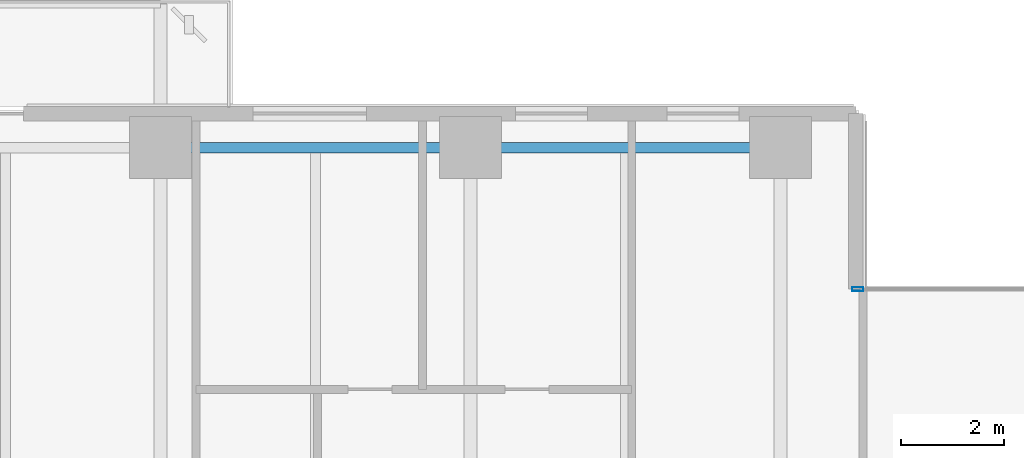
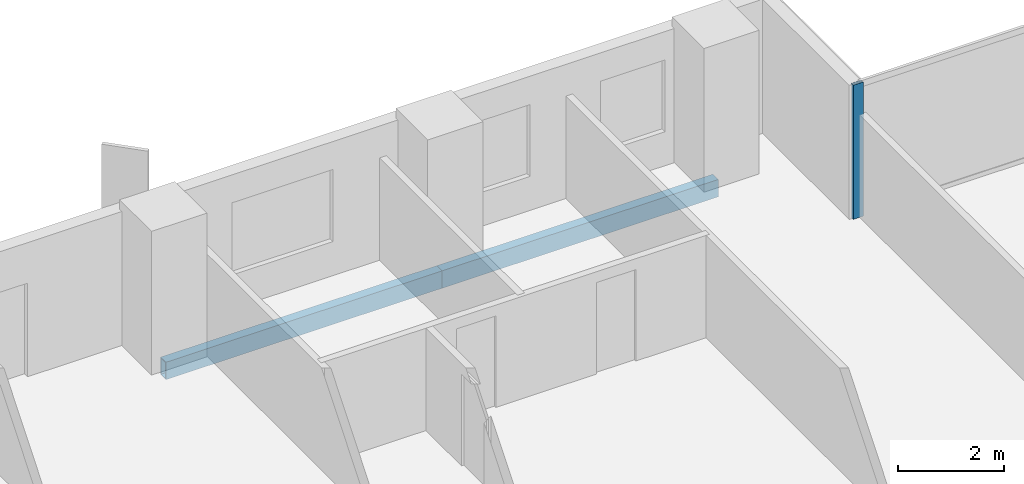
# One storey, part 9 of 33: 2 beams, 1 member, 1 element without a shape of its own.
"""IFC4 building model written with IfcOpenShell, lengths in metres."""

from ifc_helpers import new_model, si_unit, direction, frame, origin, origin_2d, place, context, subcontext, project, spatial, hollow_rectangle, extrude, material, layer, layer_set, material_profile, profile_set, type_object, element, aggregate, save


model = new_model("IFC4")

# Units and contexts
model_context = context("Model", 3, precision=1e-05, world=origin(), true_north=direction((0.0, 1.0)))
body_context = subcontext(model_context, "Body", "Model", "MODEL_VIEW")
ifc_project = project(units=[si_unit("LENGTHUNIT", "METRE"), si_unit("AREAUNIT", "SQUARE_METRE"), si_unit("VOLUMEUNIT", "CUBIC_METRE"), si_unit("PLANEANGLEUNIT", "RADIAN"), si_unit("MASSUNIT", "GRAM", prefix="KILO")], contexts=[model_context])

# Site, building, storey
site_placement = place(None, origin())
site = spatial("IfcSite", under=ifc_project, at=site_placement, CompositionType="ELEMENT")
building_placement = place(site_placement, origin())
building = spatial("IfcBuilding", under=site, at=building_placement, Name="Tanjung Sevakor Pilgrim Tower", CompositionType="ELEMENT")
storey_placement = place(building_placement, frame((0.0, 0.0, 35.639892578125)))
storey = spatial("IfcBuildingStorey", under=building, at=storey_placement, Name="L09", CompositionType="ELEMENT", Elevation=35.639892578125)

# Beams
ifc_material_1 = material(Name="Steel S355J2", Category="steel")
ifc_material_profile_1 = material_profile(ifc_material_1, hollow_rectangle(XDim=0.199951171875, YDim=0.39990234375, WallThickness=0.01611328125, at=origin_2d()))
ifc_profile_set_1 = profile_set([ifc_material_profile_1], Name="Steel S355J2")
beam_type = type_object("IfcBeamType", Name="BM-B-SP2-RHS_400x200x16", PredefinedType="SPANDREL", material=ifc_profile_set_1)
for number, where, z_axis, x_axis, name in (
    (1, (30.0, 58.800048828125, -0.419921875), (1.0, 0.0, 0.0), (0.0, 1.0, 0.0), "L09 Spandrel MAIN N-04"),
    (2, (36.0, 58.800048828125, -0.419921875), (1.0, 0.0, 0.0), (0.0, 1.0, 0.0), "L09 Spandrel MAIN N-06"),
):
    element("IfcBeam", number, at=place(storey_placement, frame(where, z_axis=z_axis, x_axis=x_axis)), inside=storey, type_object=beam_type, Name=name, PredefinedType="SPANDREL", context=body_context, shape_type="SweptSolid", body=[
        extrude(hollow_rectangle(XDim=0.199951171875, YDim=0.39990234375, WallThickness=0.01611328125, at=origin_2d()), origin(), (0.0, 0.0, 1.0), 6.0),
    ])

# Curtain wall, member
ifc_material_2 = material(Name="Aluminium 6063-T6 and Low-E Glass", Category="aluminium")
ifc_layer = layer(ifc_material_2, 0.179931640625)
ifc_layer_set = layer_set([ifc_layer], Name="CW-SYS-CLEFT")
curtain_wall_type = type_object("IfcCurtainWallType", Name="CW-SYS-CLEFT", PredefinedType="NOTDEFINED", material=ifc_layer_set)
curtain_wall_placement = place(storey_placement, origin())
curtain_wall = element("IfcCurtainWall", 3, at=curtain_wall_placement, inside=storey, type_object=curtain_wall_type, Name="L09 Curtain Wall CW-CLF-L09-10", PredefinedType="NOTDEFINED")
ifc_material_3 = material(Name="Aluminium 6063-T6", Category="aluminium")
ifc_material_profile_2 = material_profile(ifc_material_3, hollow_rectangle(XDim=0.074951171875, YDim=0.219970703125, WallThickness=0.0048828125, at=origin_2d()))
ifc_profile_set_2 = profile_set([ifc_material_profile_2], Name="Aluminium 6063-T6")
member_type = type_object("IfcMemberType", Name="TYPE-CWM-2", PredefinedType="MULLION", material=ifc_profile_set_2)
member_placement = place(storey_placement, frame((43.49755859375, 56.06005859375, 0.0), z_axis=(0.0, 0.0, 1.0), x_axis=(0.0, -1.0, 0.0)))
member = element("IfcMember", 4, at=member_placement, type_object=member_type, Name="CW-CLF mullion 2", PredefinedType="MULLION", context=body_context, shape_type="SweptSolid", body=[
    extrude(hollow_rectangle(XDim=0.074951171875, YDim=0.219970703125, WallThickness=0.0048828125, at=origin_2d()), origin(), (0.0, 0.0, 1.0), 3.080078125),
])
aggregate(curtain_wall, [member])

save(model, "model.ifc")
